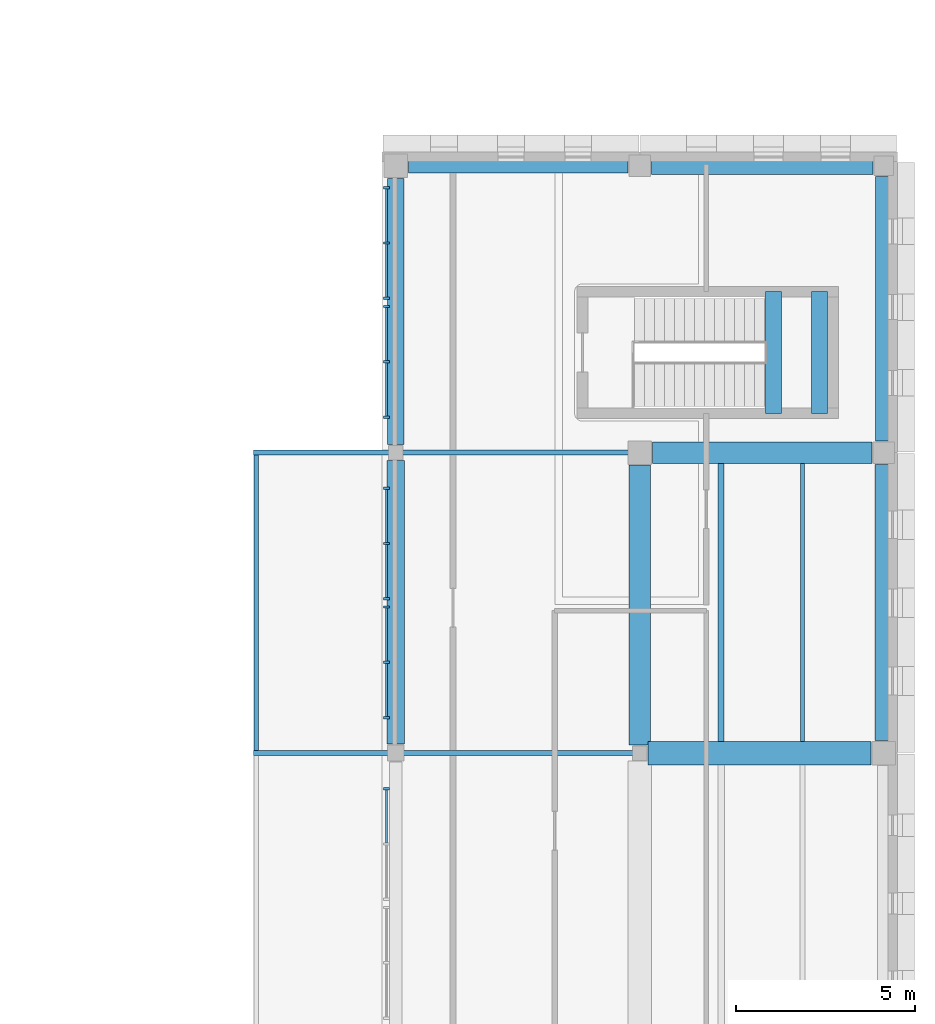
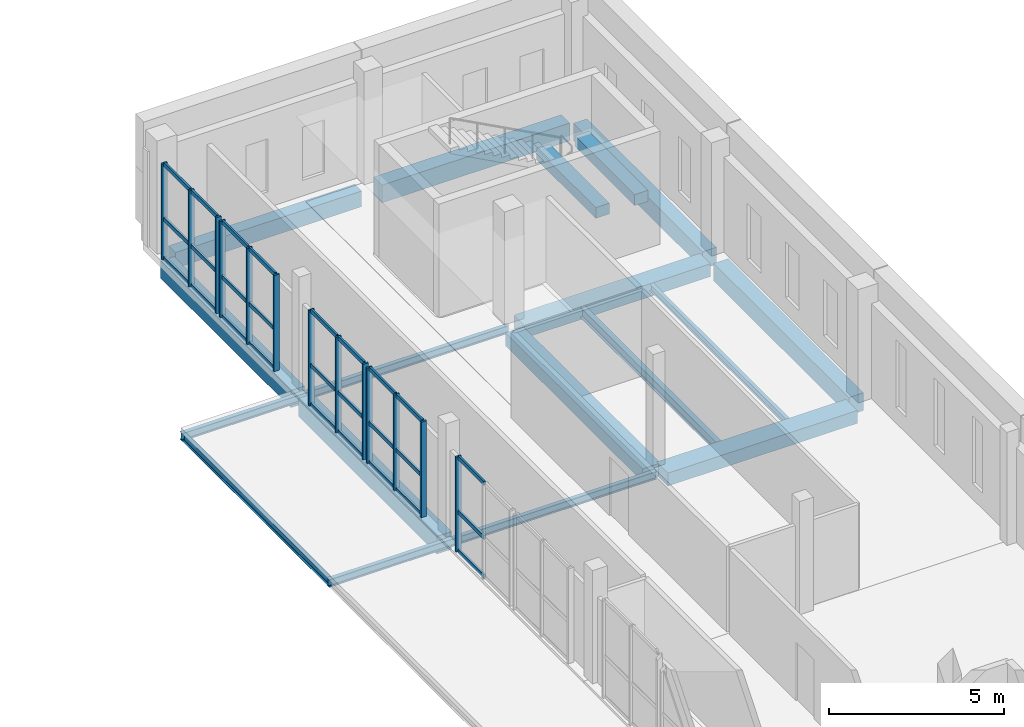
# One storey, part 35 of 76: 40 members, 16 beams, 5 elements without a shape of their own.
"""IFC4 building model written with IfcOpenShell, lengths in metres."""

from ifc_helpers import new_model, si_unit, direction, frame, origin, origin_2d, place, context, subcontext, project, spatial, rectangle, i_section, extrude, material, layer, layer_set, material_profile, profile_set, type_object, element, aggregate, save


model = new_model("IFC4")

# Units and contexts
model_context = context("Model", 3, precision=1e-05, world=origin(), true_north=direction((0.0, 1.0)))
body_context = subcontext(model_context, "Body", "Model", "MODEL_VIEW")
ifc_project = project(units=[si_unit("LENGTHUNIT", "METRE"), si_unit("AREAUNIT", "SQUARE_METRE"), si_unit("VOLUMEUNIT", "CUBIC_METRE"), si_unit("PLANEANGLEUNIT", "RADIAN"), si_unit("MASSUNIT", "GRAM", prefix="KILO")], contexts=[model_context])

# Site, building, storey
site_placement = place(None, origin())
site = spatial("IfcSite", under=ifc_project, at=site_placement, CompositionType="ELEMENT")
building_placement = place(site_placement, origin())
building = spatial("IfcBuilding", under=site, at=building_placement, Name="Vardoun Plaza Health Centre", CompositionType="ELEMENT")
storey_placement = place(building_placement, frame((0.0, 0.0, 4.5)))
storey = spatial("IfcBuildingStorey", under=building, at=storey_placement, Name="L01", CompositionType="ELEMENT", Elevation=4.5)

# Beams
ifc_material_1 = material(Name="Concrete C35/45", Category="concrete")
ifc_material_profile_1 = material_profile(ifc_material_1, rectangle(XDim=0.39990234375, YDim=0.550048828125, at=origin_2d()), Name="RC-BM 400x550")
ifc_profile_set_1 = profile_set([ifc_material_profile_1], Name="Concrete C35/45")
beam_type_1 = type_object("IfcBeamType", Name="B-09", PredefinedType="SPANDREL", material=ifc_profile_set_1)
beam_1_placement = place(storey_placement, frame((151.6298828125, 86.320068359375, -0.52490234375), z_axis=(1.0, 0.0, 0.0), x_axis=(0.0, 1.0, 0.0)))
element("IfcBeam", 1, at=beam_1_placement, inside=storey, type_object=beam_type_1, Name="V6 L01 Beam B-V6-L01-X02", PredefinedType="SPANDREL", context=body_context, shape_type="SweptSolid", body=[
    extrude(rectangle(XDim=0.39990234375, YDim=0.550048828125, at=origin_2d()), origin(), (0.0, 0.0, 1.0), 6.14501953125),
])
ifc_material_2 = material(Name="Concrete C35/45", Category="concrete")
ifc_material_profile_2 = material_profile(ifc_material_2, rectangle(XDim=0.449951171875, YDim=0.3798828125, at=origin_2d()), Name="RC-BM 450x380")
ifc_profile_set_2 = profile_set([ifc_material_profile_2], Name="Concrete C35/45")
beam_type_2 = type_object("IfcBeamType", Name="B-01", PredefinedType="BEAM", material=ifc_profile_set_2)
for number, where, z_axis, x_axis, name in (
    (2, (161.840087890625, 79.400146484375, 1.7099609375), (0.0, 1.0, 0.0), (-1.0, 0.0, 0.0), "Stair ST-C11-L01 Landing Beam 1"),
    (3, (163.1201171875, 79.400146484375, 1.7099609375), (0.0, 1.0, 0.0), (-1.0, 0.0, 0.0), "Stair ST-C11-L01 Landing Beam 2"),
):
    element("IfcBeam", number, at=place(storey_placement, frame(where, z_axis=z_axis, x_axis=x_axis)), inside=storey, type_object=beam_type_2, Name=name, PredefinedType="BEAM", context=body_context, shape_type="SweptSolid", body=[
        extrude(rectangle(XDim=0.449951171875, YDim=0.3798828125, at=origin_2d()), origin(), (0.0, 0.0, 1.0), 3.39990234375),
    ])
ifc_material_3 = material(Name="Concrete C35/45", Category="concrete")
ifc_material_profile_3 = material_profile(ifc_material_3, rectangle(XDim=0.449951171875, YDim=0.60009765625, at=origin_2d()), Name="RC-BM 450x600")
ifc_profile_set_3 = profile_set([ifc_material_profile_3], Name="Concrete C35/45")
beam_type_3 = type_object("IfcBeamType", Name="B-11", PredefinedType="SPANDREL", material=ifc_profile_set_3)
beam_2_placement = place(storey_placement, frame((151.280029296875, 78.525146484375, -0.550048828125), z_axis=(0.0, 1.0, 0.0), x_axis=(-1.0, 0.0, 0.0)))
element("IfcBeam", 4, at=beam_2_placement, inside=storey, type_object=beam_type_3, Name="V6 L01 Beam B-V6-L01-Y15", PredefinedType="SPANDREL", context=body_context, shape_type="SweptSolid", body=[
    extrude(rectangle(XDim=0.449951171875, YDim=0.60009765625, at=origin_2d()), origin(), (0.0, 0.0, 1.0), 7.44482421875),
])
beam_3_placement = place(storey_placement, frame((164.919921875, 78.625, -0.550048828125), z_axis=(0.0, 1.0, 0.0), x_axis=(-1.0, 0.0, 0.0)))
element("IfcBeam", 5, at=beam_3_placement, inside=storey, type_object=beam_type_3, Name="V6 L01 Beam B-V6-L01-Y25", PredefinedType="SPANDREL", context=body_context, shape_type="SweptSolid", body=[
    extrude(rectangle(XDim=0.449951171875, YDim=0.60009765625, at=origin_2d()), origin(), (0.0, 0.0, 1.0), 7.39501953125),
])
ifc_material_4 = material(Name="Concrete C35/45", Category="concrete")
ifc_material_profile_4 = material_profile(ifc_material_4, rectangle(XDim=0.47998046875, YDim=0.6201171875, at=origin_2d()), Name="RC-BM 480x620")
ifc_profile_set_4 = profile_set([ifc_material_profile_4], Name="Concrete C35/45")
beam_type_4 = type_object("IfcBeamType", Name="B-12", PredefinedType="SPANDREL", material=ifc_profile_set_4)
beam_4_placement = place(storey_placement, frame((158.425048828125, 86.320068359375, -0.56005859375), z_axis=(1.0, 0.0, 0.0), x_axis=(0.0, 1.0, 0.0)))
element("IfcBeam", 6, at=beam_4_placement, inside=storey, type_object=beam_type_4, Name="V6 L01 Beam B-V6-L01-X09", PredefinedType="SPANDREL", context=body_context, shape_type="SweptSolid", body=[
    extrude(rectangle(XDim=0.47998046875, YDim=0.6201171875, at=origin_2d()), origin(), (0.0, 0.0, 1.0), 6.195068359375),
])
beam_5_placement = place(storey_placement, frame((151.280029296875, 70.150146484375, -0.56005859375), z_axis=(0.0, 1.0, 0.0), x_axis=(-1.0, 0.0, 0.0)))
element("IfcBeam", 7, at=beam_5_placement, inside=storey, type_object=beam_type_4, Name="V6 L01 Beam B-V6-L01-Y14", PredefinedType="SPANDREL", context=body_context, shape_type="SweptSolid", body=[
    extrude(rectangle(XDim=0.47998046875, YDim=0.6201171875, at=origin_2d()), origin(), (0.0, 0.0, 1.0), 7.9248046875),
])
beam_6_placement = place(storey_placement, frame((164.919921875, 70.25, -0.56005859375), z_axis=(0.0, 1.0, 0.0), x_axis=(-1.0, 0.0, 0.0)))
element("IfcBeam", 8, at=beam_6_placement, inside=storey, type_object=beam_type_4, Name="V6 L01 Beam B-V6-L01-Y24", PredefinedType="SPANDREL", context=body_context, shape_type="SweptSolid", body=[
    extrude(rectangle(XDim=0.47998046875, YDim=0.6201171875, at=origin_2d()), origin(), (0.0, 0.0, 1.0), 7.72509765625),
])
ifc_material_5 = material(Name="Concrete C35/45", Category="concrete")
ifc_material_profile_5 = material_profile(ifc_material_5, rectangle(XDim=0.60009765625, YDim=0.449951171875, at=origin_2d()), Name="RC-BM 600x450")
ifc_profile_set_5 = profile_set([ifc_material_profile_5], Name="Concrete C35/45")
beam_type_5 = type_object("IfcBeamType", Name="B-04", PredefinedType="BEAM", material=ifc_profile_set_5)
beam_7_placement = place(storey_placement, frame((158.449951171875, 78.300048828125, -0.47509765625), z_axis=(1.0, 0.0, 0.0), x_axis=(0.0, 1.0, 0.0)))
element("IfcBeam", 9, at=beam_7_placement, inside=storey, type_object=beam_type_5, Name="V6 L01 Beam B-V6-L01-X08", PredefinedType="BEAM", context=body_context, shape_type="SweptSolid", body=[
    extrude(rectangle(XDim=0.60009765625, YDim=0.449951171875, at=origin_2d()), origin(), (0.0, 0.0, 1.0), 6.14501953125),
])
beam_8_placement = place(storey_placement, frame((158.10009765625, 70.125, -0.47509765625), z_axis=(0.0, 1.0, 0.0), x_axis=(-1.0, 0.0, 0.0)))
element("IfcBeam", 10, at=beam_8_placement, inside=storey, type_object=beam_type_5, Name="V6 L01 Beam B-V6-L01-Y19", PredefinedType="BEAM", context=body_context, shape_type="SweptSolid", body=[
    extrude(rectangle(XDim=0.60009765625, YDim=0.449951171875, at=origin_2d()), origin(), (0.0, 0.0, 1.0), 7.824951171875),
])
ifc_material_6 = material(Name="Concrete C35/45", Category="concrete")
ifc_material_profile_6 = material_profile(ifc_material_6, rectangle(XDim=0.64990234375, YDim=0.449951171875, at=origin_2d()), Name="RC-BM 650x450")
ifc_profile_set_6 = profile_set([ifc_material_profile_6], Name="Concrete C35/45")
beam_type_6 = type_object("IfcBeamType", Name="B-05", PredefinedType="BEAM", material=ifc_profile_set_6)
beam_9_placement = place(storey_placement, frame((158.324951171875, 69.900146484375, -0.47509765625), z_axis=(1.0, 0.0, 0.0), x_axis=(0.0, 1.0, 0.0)))
element("IfcBeam", 11, at=beam_9_placement, inside=storey, type_object=beam_type_6, Name="V6 L01 Beam B-V6-L01-X07", PredefinedType="BEAM", context=body_context, shape_type="SweptSolid", body=[
    extrude(rectangle(XDim=0.64990234375, YDim=0.449951171875, at=origin_2d()), origin(), (0.0, 0.0, 1.0), 6.2451171875),
])
ifc_material_7 = material(Name="Steel S355J2", Category="steel")
ifc_material_profile_7 = material_profile(ifc_material_7, i_section(OverallWidth=0.1201171875, OverallDepth=0.239990234375, WebThickness=0.006103515625, FlangeThickness=0.009765625, FilletRadius=0.014892578125, at=origin_2d()), Name="IPE 240")
ifc_profile_set_7 = profile_set([ifc_material_profile_7], Name="Steel S355J2")
beam_type_7 = type_object("IfcBeamType", Name="SB-17", PredefinedType="JOIST", material=ifc_profile_set_7)
beam_10_placement = place(storey_placement, frame((162.64697265625, 70.22509765625, -0.3701171875), z_axis=(0.0, 1.0, 0.0), x_axis=(-1.0, 0.0, 0.0)))
element("IfcBeam", 12, at=beam_10_placement, inside=storey, type_object=beam_type_7, Name="V6 L01 Secondary Floor Beam SJ-V6-L01-08", PredefinedType="JOIST", context=body_context, shape_type="SweptSolid", body=[
    extrude(i_section(OverallWidth=0.1201171875, OverallDepth=0.239990234375, WebThickness=0.006103515625, FlangeThickness=0.009765625, FilletRadius=0.014892578125, at=origin_2d()), origin(), (0.0, 0.0, 1.0), 7.77490234375),
])
ifc_material_8 = material(Name="Steel S355J2", Category="steel")
ifc_material_profile_8 = material_profile(ifc_material_8, i_section(OverallWidth=0.135009765625, OverallDepth=0.27001953125, WebThickness=0.006591796875, FlangeThickness=0.01025390625, FilletRadius=0.014892578125, at=origin_2d()), Name="IPE 270")
ifc_profile_set_8 = profile_set([ifc_material_profile_8], Name="Steel S355J2")
beam_type_8 = type_object("IfcBeamType", Name="SB-16", PredefinedType="JOIST", material=ifc_profile_set_8)
for number, where, z_axis, x_axis, name in (
    (13, (158.10009765625, 69.900146484375, -0.39990234375), (-1.0, 0.0, 0.0), (0.0, -1.0, 0.0), "Forecourt Canopy Continuous Girder 4"),
    (14, (158.10009765625, 78.300048828125, -0.39990234375), (-1.0, 0.0, 0.0), (0.0, -1.0, 0.0), "Forecourt Canopy Continuous Girder 5"),
):
    element("IfcBeam", number, at=place(storey_placement, frame(where, z_axis=z_axis, x_axis=x_axis)), inside=storey, type_object=beam_type_8, Name=name, PredefinedType="JOIST", context=body_context, shape_type="SweptSolid", body=[
        extrude(i_section(OverallWidth=0.135009765625, OverallDepth=0.27001953125, WebThickness=0.006591796875, FlangeThickness=0.01025390625, FilletRadius=0.014892578125, at=origin_2d()), origin(), (0.0, 0.0, 1.0), 10.800048828125),
    ])
beam_11_placement = place(storey_placement, frame((147.3798828125, 69.968017578125, -0.39990234375), z_axis=(0.0, 1.0, 0.0), x_axis=(-1.0, 0.0, 0.0)))
element("IfcBeam", 15, at=beam_11_placement, inside=storey, type_object=beam_type_8, Name="Forecourt Canopy West Fascia Beam W4", PredefinedType="JOIST", context=body_context, shape_type="SweptSolid", body=[
    extrude(i_section(OverallWidth=0.135009765625, OverallDepth=0.27001953125, WebThickness=0.006591796875, FlangeThickness=0.01025390625, FilletRadius=0.014892578125, at=origin_2d()), origin(), (0.0, 0.0, 1.0), 8.263916015625),
])
ifc_material_9 = material(Name="Steel S355J2", Category="steel")
ifc_material_profile_9 = material_profile(ifc_material_9, i_section(OverallWidth=0.169921875, OverallDepth=0.360107421875, WebThickness=0.008056640625, FlangeThickness=0.0126953125, FilletRadius=0.01806640625, at=origin_2d()), Name="IPE 360")
ifc_profile_set_9 = profile_set([ifc_material_profile_9], Name="Steel S355J2")
beam_type_9 = type_object("IfcBeamType", Name="SB-13", PredefinedType="JOIST", material=ifc_profile_set_9)
beam_12_placement = place(storey_placement, frame((160.373046875, 70.22509765625, -0.429931640625), z_axis=(0.0, 1.0, 0.0), x_axis=(-1.0, 0.0, 0.0)))
element("IfcBeam", 16, at=beam_12_placement, inside=storey, type_object=beam_type_9, Name="V6 L01 Secondary Floor Beam SJ-V6-L01-04", PredefinedType="JOIST", context=body_context, shape_type="SweptSolid", body=[
    extrude(i_section(OverallWidth=0.169921875, OverallDepth=0.360107421875, WebThickness=0.008056640625, FlangeThickness=0.0126953125, FilletRadius=0.01806640625, at=origin_2d()), origin(), (0.0, 0.0, 1.0), 7.77490234375),
])

# Curtain wall, member
ifc_material_10 = material(Name="Aluminium Alloy EN AW-6063-T6 and Low-E Glass", Category="aluminium")
ifc_layer = layer(ifc_material_10, 0.179931640625)
ifc_layer_set = layer_set([ifc_layer], Name="Aluminium Alloy EN AW-6063-T6 and Low-E Glass")
curtain_wall_type = type_object("IfcCurtainWallType", Name="CW-01", PredefinedType="USERDEFINED", material=ifc_layer_set)
curtain_wall_1_placement = place(storey_placement, origin())
curtain_wall_1 = element("IfcCurtainWall", 17, at=curtain_wall_1_placement, inside=storey, type_object=curtain_wall_type, Name="Curtain Wall CW-V6-210", ObjectType="CONCOURSE_CURTAIN_WALL", PredefinedType="USERDEFINED")
ifc_material_11 = material(Name="Aluminium Alloy EN AW-6063-T6", Category="aluminium")
ifc_material_profile_10 = material_profile(ifc_material_11, rectangle(XDim=0.179931640625, YDim=0.06494140625, at=origin_2d()), Name="CWM 65x180")
ifc_profile_set_10 = profile_set([ifc_material_profile_10], Name="Aluminium Alloy EN AW-6063-T6")
member_type_1 = type_object("IfcMemberType", Name="CW-M2", PredefinedType="MULLION", material=ifc_profile_set_10)
member_1_placement = place(storey_placement, frame((151.02001953125, 68.907470703125, 0.0), z_axis=(0.0, 0.0, 1.0), x_axis=(-1.0, 0.0, 0.0)))
member_1 = element("IfcMember", 18, at=member_1_placement, type_object=member_type_1, Name="CW-V6-210 mullion 3", PredefinedType="MULLION", context=body_context, shape_type="SweptSolid", body=[
    extrude(rectangle(XDim=0.179931640625, YDim=0.06494140625, at=origin_2d()), origin(), (0.0, 0.0, 1.0), 3.31494140625),
])

# Curtain wall, members
curtain_wall_2_placement = place(storey_placement, origin())
curtain_wall_2 = element("IfcCurtainWall", 19, at=curtain_wall_2_placement, inside=storey, type_object=curtain_wall_type, Name="Curtain Wall CW-V6-211", ObjectType="CONCOURSE_CURTAIN_WALL", PredefinedType="USERDEFINED")
member_2_placement = place(storey_placement, frame((151.02001953125, 70.892578125, 0.0), z_axis=(0.0, 0.0, 1.0), x_axis=(-1.0, 0.0, 0.0)))
member_2 = element("IfcMember", 20, at=member_2_placement, type_object=member_type_1, Name="CW-V6-211 mullion 1", PredefinedType="MULLION", context=body_context, shape_type="SweptSolid", body=[
    extrude(rectangle(XDim=0.179931640625, YDim=0.06494140625, at=origin_2d()), origin(), (0.0, 0.0, 1.0), 3.3349609375),
])
member_3_placement = place(storey_placement, frame((151.02001953125, 72.440185546875, 0.0), z_axis=(0.0, 0.0, 1.0), x_axis=(-1.0, 0.0, 0.0)))
member_3 = element("IfcMember", 21, at=member_3_placement, type_object=member_type_1, Name="CW-V6-211 mullion 2", PredefinedType="MULLION", context=body_context, shape_type="SweptSolid", body=[
    extrude(rectangle(XDim=0.179931640625, YDim=0.06494140625, at=origin_2d()), origin(), (0.0, 0.0, 1.0), 3.3349609375),
])
member_4_placement = place(storey_placement, frame((151.02001953125, 73.987548828125, 0.0), z_axis=(0.0, 0.0, 1.0), x_axis=(-1.0, 0.0, 0.0)))
member_4 = element("IfcMember", 22, at=member_4_placement, type_object=member_type_1, Name="CW-V6-211 mullion 3", PredefinedType="MULLION", context=body_context, shape_type="SweptSolid", body=[
    extrude(rectangle(XDim=0.179931640625, YDim=0.06494140625, at=origin_2d()), origin(), (0.0, 0.0, 1.0), 3.3349609375),
])

curtain_wall_3_placement = place(storey_placement, origin())
curtain_wall_3 = element("IfcCurtainWall", 23, at=curtain_wall_3_placement, inside=storey, type_object=curtain_wall_type, Name="Curtain Wall CW-V6-212", ObjectType="CONCOURSE_CURTAIN_WALL", PredefinedType="USERDEFINED")
member_5_placement = place(storey_placement, frame((151.02001953125, 74.212646484375, 0.0), z_axis=(0.0, 0.0, 1.0), x_axis=(-1.0, 0.0, 0.0)))
member_5 = element("IfcMember", 24, at=member_5_placement, type_object=member_type_1, Name="CW-V6-212 mullion 1", PredefinedType="MULLION", context=body_context, shape_type="SweptSolid", body=[
    extrude(rectangle(XDim=0.179931640625, YDim=0.06494140625, at=origin_2d()), origin(), (0.0, 0.0, 1.0), 3.3349609375),
])
member_6_placement = place(storey_placement, frame((151.02001953125, 75.760009765625, 0.0), z_axis=(0.0, 0.0, 1.0), x_axis=(-1.0, 0.0, 0.0)))
member_6 = element("IfcMember", 25, at=member_6_placement, type_object=member_type_1, Name="CW-V6-212 mullion 2", PredefinedType="MULLION", context=body_context, shape_type="SweptSolid", body=[
    extrude(rectangle(XDim=0.179931640625, YDim=0.06494140625, at=origin_2d()), origin(), (0.0, 0.0, 1.0), 3.3349609375),
])
member_7_placement = place(storey_placement, frame((151.02001953125, 77.3076171875, 0.0), z_axis=(0.0, 0.0, 1.0), x_axis=(-1.0, 0.0, 0.0)))
member_7 = element("IfcMember", 26, at=member_7_placement, type_object=member_type_1, Name="CW-V6-212 mullion 3", PredefinedType="MULLION", context=body_context, shape_type="SweptSolid", body=[
    extrude(rectangle(XDim=0.179931640625, YDim=0.06494140625, at=origin_2d()), origin(), (0.0, 0.0, 1.0), 3.3349609375),
])

curtain_wall_4_placement = place(storey_placement, origin())
curtain_wall_4 = element("IfcCurtainWall", 27, at=curtain_wall_4_placement, inside=storey, type_object=curtain_wall_type, Name="Curtain Wall CW-V6-213", ObjectType="CONCOURSE_CURTAIN_WALL", PredefinedType="USERDEFINED")
member_8_placement = place(storey_placement, frame((151.02001953125, 79.29248046875, 0.0), z_axis=(0.0, 0.0, 1.0), x_axis=(-1.0, 0.0, 0.0)))
member_8 = element("IfcMember", 28, at=member_8_placement, type_object=member_type_1, Name="CW-V6-213 mullion 1", PredefinedType="MULLION", context=body_context, shape_type="SweptSolid", body=[
    extrude(rectangle(XDim=0.179931640625, YDim=0.06494140625, at=origin_2d()), origin(), (0.0, 0.0, 1.0), 3.35498046875),
])
member_9_placement = place(storey_placement, frame((151.02001953125, 80.840087890625, 0.0), z_axis=(0.0, 0.0, 1.0), x_axis=(-1.0, 0.0, 0.0)))
member_9 = element("IfcMember", 29, at=member_9_placement, type_object=member_type_1, Name="CW-V6-213 mullion 2", PredefinedType="MULLION", context=body_context, shape_type="SweptSolid", body=[
    extrude(rectangle(XDim=0.179931640625, YDim=0.06494140625, at=origin_2d()), origin(), (0.0, 0.0, 1.0), 3.35498046875),
])
member_10_placement = place(storey_placement, frame((151.02001953125, 82.387451171875, 0.0), z_axis=(0.0, 0.0, 1.0), x_axis=(-1.0, 0.0, 0.0)))
member_10 = element("IfcMember", 30, at=member_10_placement, type_object=member_type_1, Name="CW-V6-213 mullion 3", PredefinedType="MULLION", context=body_context, shape_type="SweptSolid", body=[
    extrude(rectangle(XDim=0.179931640625, YDim=0.06494140625, at=origin_2d()), origin(), (0.0, 0.0, 1.0), 3.35498046875),
])

curtain_wall_5_placement = place(storey_placement, origin())
curtain_wall_5 = element("IfcCurtainWall", 31, at=curtain_wall_5_placement, inside=storey, type_object=curtain_wall_type, Name="Curtain Wall CW-V6-214", ObjectType="CONCOURSE_CURTAIN_WALL", PredefinedType="USERDEFINED")
member_11_placement = place(storey_placement, frame((151.02001953125, 82.612548828125, 0.0), z_axis=(0.0, 0.0, 1.0), x_axis=(-1.0, 0.0, 0.0)))
member_11 = element("IfcMember", 32, at=member_11_placement, type_object=member_type_1, Name="CW-V6-214 mullion 1", PredefinedType="MULLION", context=body_context, shape_type="SweptSolid", body=[
    extrude(rectangle(XDim=0.179931640625, YDim=0.06494140625, at=origin_2d()), origin(), (0.0, 0.0, 1.0), 3.35498046875),
])
member_12_placement = place(storey_placement, frame((151.02001953125, 84.159912109375, 0.0), z_axis=(0.0, 0.0, 1.0), x_axis=(-1.0, 0.0, 0.0)))
member_12 = element("IfcMember", 33, at=member_12_placement, type_object=member_type_1, Name="CW-V6-214 mullion 2", PredefinedType="MULLION", context=body_context, shape_type="SweptSolid", body=[
    extrude(rectangle(XDim=0.179931640625, YDim=0.06494140625, at=origin_2d()), origin(), (0.0, 0.0, 1.0), 3.35498046875),
])
member_13_placement = place(storey_placement, frame((151.02001953125, 85.70751953125, 0.0), z_axis=(0.0, 0.0, 1.0), x_axis=(-1.0, 0.0, 0.0)))
member_13 = element("IfcMember", 34, at=member_13_placement, type_object=member_type_1, Name="CW-V6-214 mullion 3", PredefinedType="MULLION", context=body_context, shape_type="SweptSolid", body=[
    extrude(rectangle(XDim=0.179931640625, YDim=0.06494140625, at=origin_2d()), origin(), (0.0, 0.0, 1.0), 3.35498046875),
])

# Member
ifc_material_12 = material(Name="Aluminium Alloy EN AW-6063-T6", Category="aluminium")
ifc_material_profile_11 = material_profile(ifc_material_12, rectangle(XDim=0.06494140625, YDim=0.139892578125, at=origin_2d()), Name="CWT 65x140")
ifc_profile_set_11 = profile_set([ifc_material_profile_11], Name="Aluminium Alloy EN AW-6063-T6")
member_type_2 = type_object("IfcMemberType", Name="CW-T2", PredefinedType="USERDEFINED", material=ifc_profile_set_11)
member_14_placement = place(storey_placement, frame((151.02001953125, 67.392578125, 0.032470703125), z_axis=(0.0, 1.0, 0.0), x_axis=(-1.0, 0.0, 0.0)))
member_14 = element("IfcMember", 35, at=member_14_placement, type_object=member_type_2, Name="CW-V6-210 transom 2.1", ObjectType="TRANSOM", PredefinedType="USERDEFINED", context=body_context, shape_type="SweptSolid", body=[
    extrude(rectangle(XDim=0.06494140625, YDim=0.139892578125, at=origin_2d()), origin(), (0.0, 0.0, 1.0), 1.482421875),
])

member_15_placement = place(storey_placement, frame((151.02001953125, 67.392578125, 1.392333984375), z_axis=(0.0, 1.0, 0.0), x_axis=(-1.0, 0.0, 0.0)))
member_15 = element("IfcMember", 36, at=member_15_placement, type_object=member_type_2, Name="CW-V6-210 transom 2.2", ObjectType="TRANSOM", PredefinedType="USERDEFINED", context=body_context, shape_type="SweptSolid", body=[
    extrude(rectangle(XDim=0.06494140625, YDim=0.139892578125, at=origin_2d()), origin(), (0.0, 0.0, 1.0), 1.482421875),
])

member_16_placement = place(storey_placement, frame((151.02001953125, 67.392578125, 3.282470703125), z_axis=(0.0, 1.0, 0.0), x_axis=(-1.0, 0.0, 0.0)))
member_16 = element("IfcMember", 37, at=member_16_placement, type_object=member_type_2, Name="CW-V6-210 transom 2.3", ObjectType="TRANSOM", PredefinedType="USERDEFINED", context=body_context, shape_type="SweptSolid", body=[
    extrude(rectangle(XDim=0.06494140625, YDim=0.139892578125, at=origin_2d()), origin(), (0.0, 0.0, 1.0), 1.482421875),
])

aggregate(curtain_wall_1, [member_1, member_14, member_15, member_16])

member_17_placement = place(storey_placement, frame((151.02001953125, 70.925048828125, 0.032470703125), z_axis=(0.0, 1.0, 0.0), x_axis=(-1.0, 0.0, 0.0)))
member_17 = element("IfcMember", 38, at=member_17_placement, type_object=member_type_2, Name="CW-V6-211 transom 1.1", ObjectType="TRANSOM", PredefinedType="USERDEFINED", context=body_context, shape_type="SweptSolid", body=[
    extrude(rectangle(XDim=0.06494140625, YDim=0.139892578125, at=origin_2d()), origin(), (0.0, 0.0, 1.0), 1.482421875),
])

member_18_placement = place(storey_placement, frame((151.02001953125, 70.925048828125, 1.400634765625), z_axis=(0.0, 1.0, 0.0), x_axis=(-1.0, 0.0, 0.0)))
member_18 = element("IfcMember", 39, at=member_18_placement, type_object=member_type_2, Name="CW-V6-211 transom 1.2", ObjectType="TRANSOM", PredefinedType="USERDEFINED", context=body_context, shape_type="SweptSolid", body=[
    extrude(rectangle(XDim=0.06494140625, YDim=0.139892578125, at=origin_2d()), origin(), (0.0, 0.0, 1.0), 1.482421875),
])

member_19_placement = place(storey_placement, frame((151.02001953125, 70.925048828125, 3.302490234375), z_axis=(0.0, 1.0, 0.0), x_axis=(-1.0, 0.0, 0.0)))
member_19 = element("IfcMember", 40, at=member_19_placement, type_object=member_type_2, Name="CW-V6-211 transom 1.3", ObjectType="TRANSOM", PredefinedType="USERDEFINED", context=body_context, shape_type="SweptSolid", body=[
    extrude(rectangle(XDim=0.06494140625, YDim=0.139892578125, at=origin_2d()), origin(), (0.0, 0.0, 1.0), 1.482421875),
])

member_20_placement = place(storey_placement, frame((151.02001953125, 72.472412109375, 0.032470703125), z_axis=(0.0, 1.0, 0.0), x_axis=(-1.0, 0.0, 0.0)))
member_20 = element("IfcMember", 41, at=member_20_placement, type_object=member_type_2, Name="CW-V6-211 transom 2.1", ObjectType="TRANSOM", PredefinedType="USERDEFINED", context=body_context, shape_type="SweptSolid", body=[
    extrude(rectangle(XDim=0.06494140625, YDim=0.139892578125, at=origin_2d()), origin(), (0.0, 0.0, 1.0), 1.482666015625),
])

member_21_placement = place(storey_placement, frame((151.02001953125, 72.472412109375, 1.400634765625), z_axis=(0.0, 1.0, 0.0), x_axis=(-1.0, 0.0, 0.0)))
member_21 = element("IfcMember", 42, at=member_21_placement, type_object=member_type_2, Name="CW-V6-211 transom 2.2", ObjectType="TRANSOM", PredefinedType="USERDEFINED", context=body_context, shape_type="SweptSolid", body=[
    extrude(rectangle(XDim=0.06494140625, YDim=0.139892578125, at=origin_2d()), origin(), (0.0, 0.0, 1.0), 1.482666015625),
])

member_22_placement = place(storey_placement, frame((151.02001953125, 72.472412109375, 3.302490234375), z_axis=(0.0, 1.0, 0.0), x_axis=(-1.0, 0.0, 0.0)))
member_22 = element("IfcMember", 43, at=member_22_placement, type_object=member_type_2, Name="CW-V6-211 transom 2.3", ObjectType="TRANSOM", PredefinedType="USERDEFINED", context=body_context, shape_type="SweptSolid", body=[
    extrude(rectangle(XDim=0.06494140625, YDim=0.139892578125, at=origin_2d()), origin(), (0.0, 0.0, 1.0), 1.482666015625),
])

aggregate(curtain_wall_2, [member_2, member_3, member_4, member_17, member_18, member_19, member_20, member_21, member_22])

member_23_placement = place(storey_placement, frame((151.02001953125, 74.2451171875, 0.032470703125), z_axis=(0.0, 1.0, 0.0), x_axis=(-1.0, 0.0, 0.0)))
member_23 = element("IfcMember", 44, at=member_23_placement, type_object=member_type_2, Name="CW-V6-212 transom 1.1", ObjectType="TRANSOM", PredefinedType="USERDEFINED", context=body_context, shape_type="SweptSolid", body=[
    extrude(rectangle(XDim=0.06494140625, YDim=0.139892578125, at=origin_2d()), origin(), (0.0, 0.0, 1.0), 1.482421875),
])

member_24_placement = place(storey_placement, frame((151.02001953125, 74.2451171875, 1.400634765625), z_axis=(0.0, 1.0, 0.0), x_axis=(-1.0, 0.0, 0.0)))
member_24 = element("IfcMember", 45, at=member_24_placement, type_object=member_type_2, Name="CW-V6-212 transom 1.2", ObjectType="TRANSOM", PredefinedType="USERDEFINED", context=body_context, shape_type="SweptSolid", body=[
    extrude(rectangle(XDim=0.06494140625, YDim=0.139892578125, at=origin_2d()), origin(), (0.0, 0.0, 1.0), 1.482421875),
])

member_25_placement = place(storey_placement, frame((151.02001953125, 74.2451171875, 3.302490234375), z_axis=(0.0, 1.0, 0.0), x_axis=(-1.0, 0.0, 0.0)))
member_25 = element("IfcMember", 46, at=member_25_placement, type_object=member_type_2, Name="CW-V6-212 transom 1.3", ObjectType="TRANSOM", PredefinedType="USERDEFINED", context=body_context, shape_type="SweptSolid", body=[
    extrude(rectangle(XDim=0.06494140625, YDim=0.139892578125, at=origin_2d()), origin(), (0.0, 0.0, 1.0), 1.482421875),
])

member_26_placement = place(storey_placement, frame((151.02001953125, 75.79248046875, 0.032470703125), z_axis=(0.0, 1.0, 0.0), x_axis=(-1.0, 0.0, 0.0)))
member_26 = element("IfcMember", 47, at=member_26_placement, type_object=member_type_2, Name="CW-V6-212 transom 2.1", ObjectType="TRANSOM", PredefinedType="USERDEFINED", context=body_context, shape_type="SweptSolid", body=[
    extrude(rectangle(XDim=0.06494140625, YDim=0.139892578125, at=origin_2d()), origin(), (0.0, 0.0, 1.0), 1.482666015625),
])

member_27_placement = place(storey_placement, frame((151.02001953125, 75.79248046875, 1.400634765625), z_axis=(0.0, 1.0, 0.0), x_axis=(-1.0, 0.0, 0.0)))
member_27 = element("IfcMember", 48, at=member_27_placement, type_object=member_type_2, Name="CW-V6-212 transom 2.2", ObjectType="TRANSOM", PredefinedType="USERDEFINED", context=body_context, shape_type="SweptSolid", body=[
    extrude(rectangle(XDim=0.06494140625, YDim=0.139892578125, at=origin_2d()), origin(), (0.0, 0.0, 1.0), 1.482666015625),
])

member_28_placement = place(storey_placement, frame((151.02001953125, 75.79248046875, 3.302490234375), z_axis=(0.0, 1.0, 0.0), x_axis=(-1.0, 0.0, 0.0)))
member_28 = element("IfcMember", 49, at=member_28_placement, type_object=member_type_2, Name="CW-V6-212 transom 2.3", ObjectType="TRANSOM", PredefinedType="USERDEFINED", context=body_context, shape_type="SweptSolid", body=[
    extrude(rectangle(XDim=0.06494140625, YDim=0.139892578125, at=origin_2d()), origin(), (0.0, 0.0, 1.0), 1.482666015625),
])

aggregate(curtain_wall_3, [member_5, member_6, member_7, member_23, member_24, member_25, member_26, member_27, member_28])

member_29_placement = place(storey_placement, frame((151.02001953125, 79.324951171875, 0.032470703125), z_axis=(0.0, 1.0, 0.0), x_axis=(-1.0, 0.0, 0.0)))
member_29 = element("IfcMember", 50, at=member_29_placement, type_object=member_type_2, Name="CW-V6-213 transom 1.1", ObjectType="TRANSOM", PredefinedType="USERDEFINED", context=body_context, shape_type="SweptSolid", body=[
    extrude(rectangle(XDim=0.06494140625, YDim=0.139892578125, at=origin_2d()), origin(), (0.0, 0.0, 1.0), 1.482666015625),
])

member_30_placement = place(storey_placement, frame((151.02001953125, 79.324951171875, 1.4091796875), z_axis=(0.0, 1.0, 0.0), x_axis=(-1.0, 0.0, 0.0)))
member_30 = element("IfcMember", 51, at=member_30_placement, type_object=member_type_2, Name="CW-V6-213 transom 1.2", ObjectType="TRANSOM", PredefinedType="USERDEFINED", context=body_context, shape_type="SweptSolid", body=[
    extrude(rectangle(XDim=0.06494140625, YDim=0.139892578125, at=origin_2d()), origin(), (0.0, 0.0, 1.0), 1.482666015625),
])

member_31_placement = place(storey_placement, frame((151.02001953125, 79.324951171875, 3.322509765625), z_axis=(0.0, 1.0, 0.0), x_axis=(-1.0, 0.0, 0.0)))
member_31 = element("IfcMember", 52, at=member_31_placement, type_object=member_type_2, Name="CW-V6-213 transom 1.3", ObjectType="TRANSOM", PredefinedType="USERDEFINED", context=body_context, shape_type="SweptSolid", body=[
    extrude(rectangle(XDim=0.06494140625, YDim=0.139892578125, at=origin_2d()), origin(), (0.0, 0.0, 1.0), 1.482666015625),
])

member_32_placement = place(storey_placement, frame((151.02001953125, 80.87255859375, 0.032470703125), z_axis=(0.0, 1.0, 0.0), x_axis=(-1.0, 0.0, 0.0)))
member_32 = element("IfcMember", 53, at=member_32_placement, type_object=member_type_2, Name="CW-V6-213 transom 2.1", ObjectType="TRANSOM", PredefinedType="USERDEFINED", context=body_context, shape_type="SweptSolid", body=[
    extrude(rectangle(XDim=0.06494140625, YDim=0.139892578125, at=origin_2d()), origin(), (0.0, 0.0, 1.0), 1.482421875),
])

member_33_placement = place(storey_placement, frame((151.02001953125, 80.87255859375, 1.4091796875), z_axis=(0.0, 1.0, 0.0), x_axis=(-1.0, 0.0, 0.0)))
member_33 = element("IfcMember", 54, at=member_33_placement, type_object=member_type_2, Name="CW-V6-213 transom 2.2", ObjectType="TRANSOM", PredefinedType="USERDEFINED", context=body_context, shape_type="SweptSolid", body=[
    extrude(rectangle(XDim=0.06494140625, YDim=0.139892578125, at=origin_2d()), origin(), (0.0, 0.0, 1.0), 1.482421875),
])

member_34_placement = place(storey_placement, frame((151.02001953125, 80.87255859375, 3.322509765625), z_axis=(0.0, 1.0, 0.0), x_axis=(-1.0, 0.0, 0.0)))
member_34 = element("IfcMember", 55, at=member_34_placement, type_object=member_type_2, Name="CW-V6-213 transom 2.3", ObjectType="TRANSOM", PredefinedType="USERDEFINED", context=body_context, shape_type="SweptSolid", body=[
    extrude(rectangle(XDim=0.06494140625, YDim=0.139892578125, at=origin_2d()), origin(), (0.0, 0.0, 1.0), 1.482421875),
])

aggregate(curtain_wall_4, [member_8, member_9, member_10, member_29, member_30, member_31, member_32, member_33, member_34])

member_35_placement = place(storey_placement, frame((151.02001953125, 82.64501953125, 0.032470703125), z_axis=(0.0, 1.0, 0.0), x_axis=(-1.0, 0.0, 0.0)))
member_35 = element("IfcMember", 56, at=member_35_placement, type_object=member_type_2, Name="CW-V6-214 transom 1.1", ObjectType="TRANSOM", PredefinedType="USERDEFINED", context=body_context, shape_type="SweptSolid", body=[
    extrude(rectangle(XDim=0.06494140625, YDim=0.139892578125, at=origin_2d()), origin(), (0.0, 0.0, 1.0), 1.482666015625),
])

member_36_placement = place(storey_placement, frame((151.02001953125, 82.64501953125, 1.4091796875), z_axis=(0.0, 1.0, 0.0), x_axis=(-1.0, 0.0, 0.0)))
member_36 = element("IfcMember", 57, at=member_36_placement, type_object=member_type_2, Name="CW-V6-214 transom 1.2", ObjectType="TRANSOM", PredefinedType="USERDEFINED", context=body_context, shape_type="SweptSolid", body=[
    extrude(rectangle(XDim=0.06494140625, YDim=0.139892578125, at=origin_2d()), origin(), (0.0, 0.0, 1.0), 1.482666015625),
])

member_37_placement = place(storey_placement, frame((151.02001953125, 82.64501953125, 3.322509765625), z_axis=(0.0, 1.0, 0.0), x_axis=(-1.0, 0.0, 0.0)))
member_37 = element("IfcMember", 58, at=member_37_placement, type_object=member_type_2, Name="CW-V6-214 transom 1.3", ObjectType="TRANSOM", PredefinedType="USERDEFINED", context=body_context, shape_type="SweptSolid", body=[
    extrude(rectangle(XDim=0.06494140625, YDim=0.139892578125, at=origin_2d()), origin(), (0.0, 0.0, 1.0), 1.482666015625),
])

member_38_placement = place(storey_placement, frame((151.02001953125, 84.1923828125, 0.032470703125), z_axis=(0.0, 1.0, 0.0), x_axis=(-1.0, 0.0, 0.0)))
member_38 = element("IfcMember", 59, at=member_38_placement, type_object=member_type_2, Name="CW-V6-214 transom 2.1", ObjectType="TRANSOM", PredefinedType="USERDEFINED", context=body_context, shape_type="SweptSolid", body=[
    extrude(rectangle(XDim=0.06494140625, YDim=0.139892578125, at=origin_2d()), origin(), (0.0, 0.0, 1.0), 1.482666015625),
])

member_39_placement = place(storey_placement, frame((151.02001953125, 84.1923828125, 1.4091796875), z_axis=(0.0, 1.0, 0.0), x_axis=(-1.0, 0.0, 0.0)))
member_39 = element("IfcMember", 60, at=member_39_placement, type_object=member_type_2, Name="CW-V6-214 transom 2.2", ObjectType="TRANSOM", PredefinedType="USERDEFINED", context=body_context, shape_type="SweptSolid", body=[
    extrude(rectangle(XDim=0.06494140625, YDim=0.139892578125, at=origin_2d()), origin(), (0.0, 0.0, 1.0), 1.482666015625),
])

member_40_placement = place(storey_placement, frame((151.02001953125, 84.1923828125, 3.322509765625), z_axis=(0.0, 1.0, 0.0), x_axis=(-1.0, 0.0, 0.0)))
member_40 = element("IfcMember", 61, at=member_40_placement, type_object=member_type_2, Name="CW-V6-214 transom 2.3", ObjectType="TRANSOM", PredefinedType="USERDEFINED", context=body_context, shape_type="SweptSolid", body=[
    extrude(rectangle(XDim=0.06494140625, YDim=0.139892578125, at=origin_2d()), origin(), (0.0, 0.0, 1.0), 1.482666015625),
])

aggregate(curtain_wall_5, [member_11, member_12, member_13, member_35, member_36, member_37, member_38, member_39, member_40])

save(model, "model.ifc")
